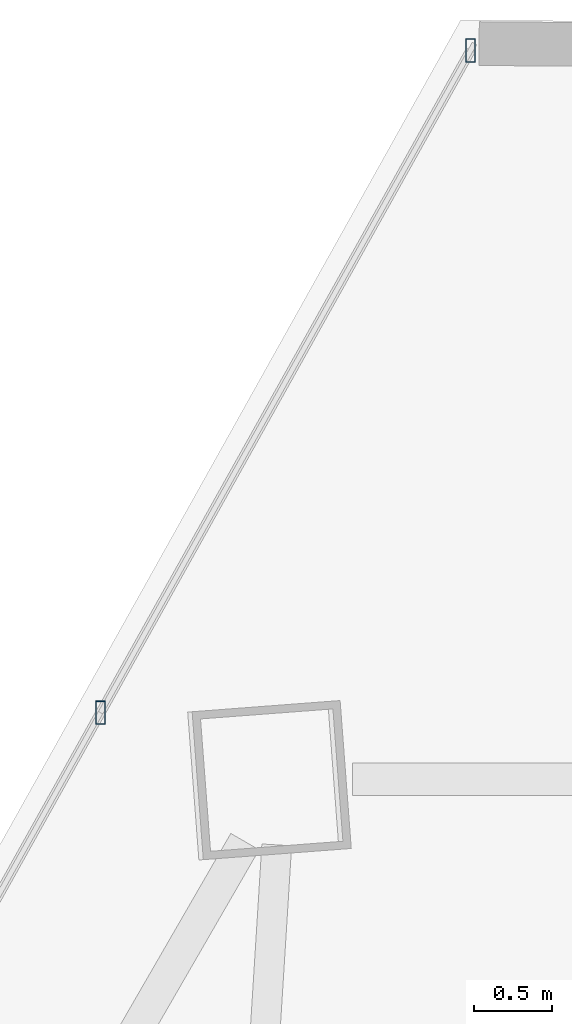
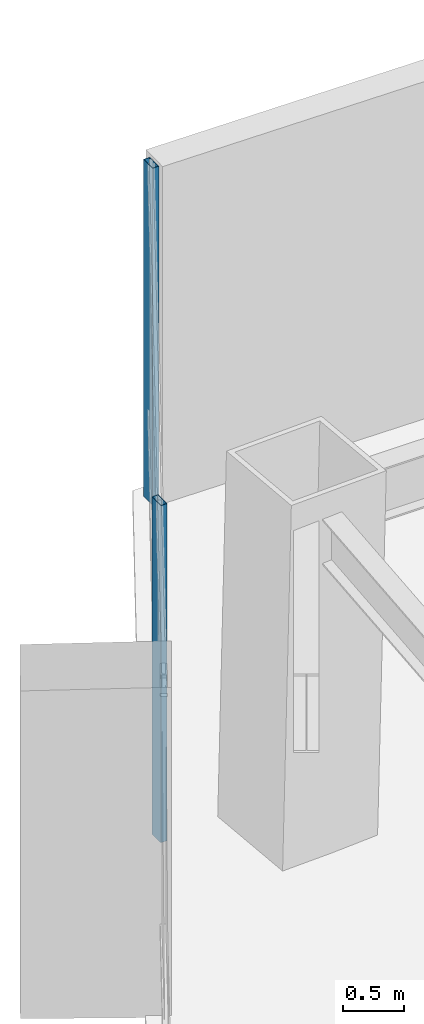
# One storey, part 28 of 39: 2 members, 1 element without a shape of its own.
"""IFC4 building model written with IfcOpenShell, lengths in metres."""

from ifc_helpers import new_model, si_unit, direction, frame, origin, origin_2d, place, context, subcontext, project, spatial, hollow_rectangle, extrude, source, transform, mapped, material, material_profile, profile_set, type_object, type_shapes, element, aggregate, save


model = new_model("IFC4")

# Units and contexts
model_context = context("Model", 3, precision=1e-05, world=origin(), true_north=direction((0.0, 1.0)))
body_context = subcontext(model_context, "Body", "Model", "MODEL_VIEW")
ifc_project = project(units=[si_unit("LENGTHUNIT", "METRE"), si_unit("AREAUNIT", "SQUARE_METRE"), si_unit("VOLUMEUNIT", "CUBIC_METRE"), si_unit("PLANEANGLEUNIT", "RADIAN"), si_unit("MASSUNIT", "GRAM", prefix="KILO")], contexts=[model_context])

# Site, building, storey
site_placement = place(None, origin())
site = spatial("IfcSite", under=ifc_project, at=site_placement, CompositionType="ELEMENT")
building_placement = place(site_placement, origin())
building = spatial("IfcBuilding", under=site, at=building_placement, Name="Caelisora Broadcast Tower", CompositionType="ELEMENT")
storey_placement = place(building_placement, frame((0.0, 0.0, 142.75)))
storey = spatial("IfcBuildingStorey", under=building, at=storey_placement, Name="L37", CompositionType="ELEMENT", Elevation=142.75)

# Curtain wall, members
ifc_material_1 = material(Name="Unitised Aluminium and Low-E Glass Curtain Wall", Category="glass")
curtain_wall_type = type_object("IfcCurtainWallType", Name="CW-Z3", PredefinedType="NOTDEFINED", material=ifc_material_1)
curtain_wall_placement = place(storey_placement, origin())
curtain_wall = element("IfcCurtainWall", 1, at=curtain_wall_placement, inside=storey, type_object=curtain_wall_type, Name="L37 curtain wall CW-Z3", PredefinedType="NOTDEFINED")
ifc_material_2 = material(Name="Aluminium 6063-T6 Anodised Terracotta Bronze", Category="aluminium")
ifc_material_profile = material_profile(ifc_material_2, hollow_rectangle(XDim=0.06005859375, YDim=0.14990234375, WallThickness=0.00341796875, at=origin_2d()), Name="Aluminium 6063-T6 Anodised Terracotta Bronze")
ifc_profile_set = profile_set([ifc_material_profile], Name="Aluminium 6063-T6 Anodised Terracotta Bronze")
member_type = type_object("IfcMemberType", Name="CWM-03", PredefinedType="MULLION", material=ifc_profile_set)
shared_shape = source(origin(), body_context, "Body", "SweptSolid", [
    extrude(hollow_rectangle(XDim=0.06005859375, YDim=0.14990234375, WallThickness=0.00341796875, at=origin_2d()), origin(), (0.0, 0.0, 1.0), 3.39990234375),
])
type_shapes(member_type, [shared_shape])
member_1_placement = place(storey_placement, frame((30.3720703125, 46.908447265625, 0.0), z_axis=(0.0, 0.0, 1.0), x_axis=(1.0, 0.0, 0.0)))
member_1 = element("IfcMember", 2, at=member_1_placement, type_object=member_type, Name="L37-CW-B11 mullion #2", PredefinedType="MULLION", context=body_context, shape_type="MappedRepresentation", body=[
    mapped(shared_shape, transform((0.0, 0.0, 0.0), scale=1.0)),
])
member_2_placement = place(storey_placement, frame((32.74169921875, 51.1494140625, 0.0), z_axis=(0.0, 0.0, 1.0), x_axis=(1.0, 0.0, 0.0)))
member_2 = element("IfcMember", 3, at=member_2_placement, type_object=member_type, Name="L37-CW-B11 mullion #3", PredefinedType="MULLION", context=body_context, shape_type="MappedRepresentation", body=[
    mapped(shared_shape, transform((0.0, 0.0, 0.0), scale=1.0)),
])
aggregate(curtain_wall, [member_1, member_2])

save(model, "model.ifc")
